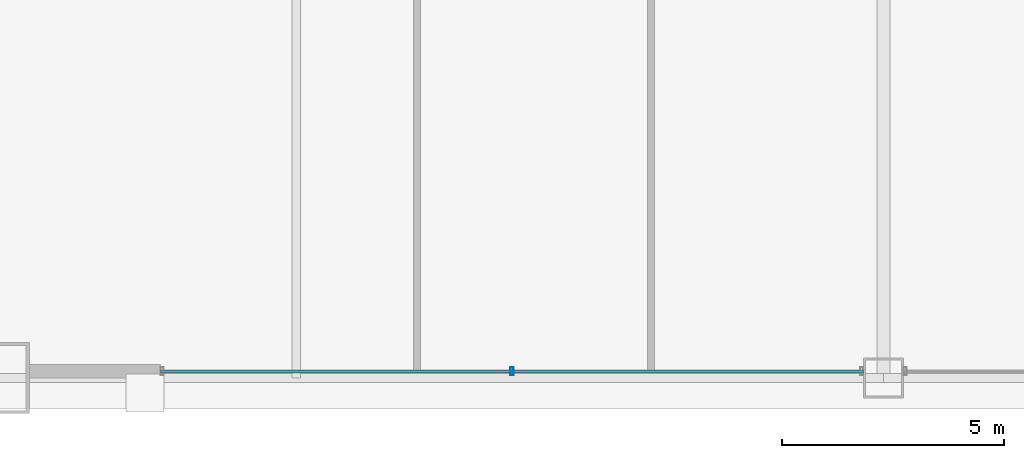
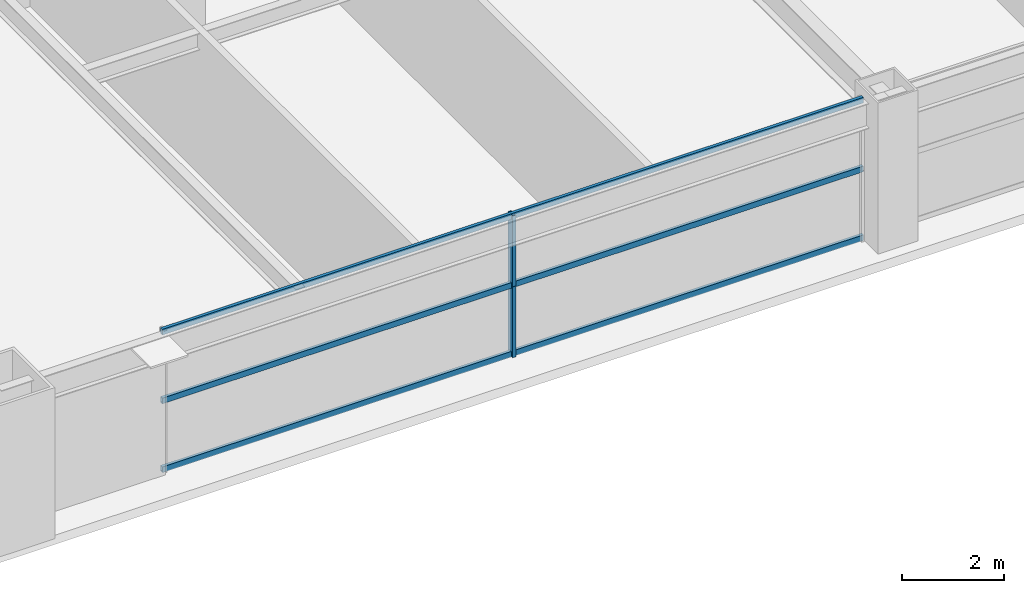
# One storey, part 6 of 39: 5 members, 1 element without a shape of its own.
"""IFC4 building model written with IfcOpenShell, lengths in metres."""

from ifc_helpers import new_model, si_unit, direction, frame, origin, origin_2d, place, context, subcontext, project, spatial, hollow_rectangle, extrude, source, transform, mapped, material, layer, layer_set, material_profile, profile_set, type_object, element, aggregate, save


model = new_model("IFC4")

# Units and contexts
model_context = context("Model", 3, precision=1e-05, world=origin(), true_north=direction((0.0, 1.0)))
body_context = subcontext(model_context, "Body", "Model", "MODEL_VIEW")
ifc_project = project(units=[si_unit("LENGTHUNIT", "METRE"), si_unit("AREAUNIT", "SQUARE_METRE"), si_unit("VOLUMEUNIT", "CUBIC_METRE"), si_unit("PLANEANGLEUNIT", "RADIAN"), si_unit("MASSUNIT", "GRAM", prefix="KILO"), si_unit("THERMODYNAMICTEMPERATUREUNIT", "KELVIN"), si_unit("POWERUNIT", "WATT")], contexts=[model_context])

# Site, building, storey
site_placement = place(None, origin())
site = spatial("IfcSite", under=ifc_project, at=site_placement, CompositionType="ELEMENT")
building_placement = place(site_placement, origin())
building = spatial("IfcBuilding", under=site, at=building_placement, Name="Yuzanri Waterfront Tower", CompositionType="ELEMENT")
storey_placement = place(building_placement, frame((0.0, 0.0, 134.39990234375)))
storey = spatial("IfcBuildingStorey", under=building, at=storey_placement, Name="L35", CompositionType="ELEMENT", Elevation=134.39990234375)

# Curtain wall, members
ifc_material_1 = material(Name="Anodized Architectural Bronze", Category="metal")
ifc_layer = layer(ifc_material_1, 0.159912109375)
ifc_layer_set = layer_set([ifc_layer], Name="Anodized Architectural Bronze")
curtain_wall_type = type_object("IfcCurtainWallType", Name="Anodized Bronze Hotel Upper-Tier Solar-Control Unitized Curtain Wall 7800", PredefinedType="NOTDEFINED", material=ifc_layer_set)
curtain_wall_placement = place(storey_placement, origin())
curtain_wall = element("IfcCurtainWall", 1, at=curtain_wall_placement, inside=storey, type_object=curtain_wall_type, Name="L35 Curtain Wall CW-L35-SL", PredefinedType="NOTDEFINED")
ifc_material_2 = material(Name="Anodized Architectural Bronze", Category="metal")
ifc_material_profile_1 = material_profile(ifc_material_2, hollow_rectangle(XDim=0.070068359375, YDim=0.179931640625, WallThickness=0.00390625, at=origin_2d()), Name="CWM 70x180")
ifc_profile_set_1 = profile_set([ifc_material_profile_1], Name="Anodized Architectural Bronze")
member_type_1 = type_object("IfcMemberType", Name="Anodized Bronze Standard Curtain-Wall Mullion 70x180", PredefinedType="MULLION", material=ifc_profile_set_1)
shared_shape_1 = source(origin(), body_context, "Body", "SweptSolid", [
    extrude(hollow_rectangle(XDim=0.070068359375, YDim=0.179931640625, WallThickness=0.00390625, at=origin_2d()), origin(), (0.0, 0.0, 1.0), 1.68798828125),
])
member_1_placement = place(storey_placement, frame((28.64990234375, 2.35009765625, 0.0), z_axis=(0.0, 0.0, 1.0), x_axis=(1.0, 0.0, 0.0)))
member_1 = element("IfcMember", 2, at=member_1_placement, type_object=member_type_1, Name="CW-L35-SL Lower Mullion 01", PredefinedType="MULLION", context=body_context, shape_type="MappedRepresentation", body=[
    mapped(shared_shape_1, transform((0.0, 0.0, 0.0), scale=1.0)),
])
member_2_placement = place(storey_placement, frame((28.64990234375, 2.35009765625, 1.692138671875), z_axis=(0.0, 0.0, 1.0), x_axis=(1.0, 0.0, 0.0)))
member_2 = element("IfcMember", 3, at=member_2_placement, type_object=member_type_1, Name="CW-L35-SL Upper Mullion 01", PredefinedType="MULLION", context=body_context, shape_type="MappedRepresentation", body=[
    mapped(shared_shape_1, transform((0.0, 0.0, 0.0), scale=1.0)),
])
ifc_material_3 = material(Name="Anodized Architectural Bronze", Category="metal")
ifc_material_profile_2 = material_profile(ifc_material_3, hollow_rectangle(XDim=0.070068359375, YDim=0.135009765625, WallThickness=0.00341796875, at=origin_2d()), Name="CWT 70x135")
ifc_profile_set_2 = profile_set([ifc_material_profile_2], Name="Anodized Architectural Bronze")
member_type_2 = type_object("IfcMemberType", Name="Anodized Bronze Standard Curtain-Wall Transom 70x135", PredefinedType="USERDEFINED", material=ifc_profile_set_2)
shared_shape_2 = source(origin(), body_context, "Body", "SweptSolid", [
    extrude(hollow_rectangle(XDim=0.070068359375, YDim=0.135009765625, WallThickness=0.00341796875, at=origin_2d()), origin(), (0.0, 0.0, 1.0), 15.800048828125),
])
member_3_placement = place(storey_placement, frame((20.75, 2.35009765625, 0.050048828125), z_axis=(1.0, 0.0, 0.0), x_axis=(0.0, 1.0, 0.0)))
member_3 = element("IfcMember", 4, at=member_3_placement, type_object=member_type_2, Name="CW-L35-SL Transom 1", ObjectType="TRANSOM", PredefinedType="USERDEFINED", context=body_context, shape_type="MappedRepresentation", body=[
    mapped(shared_shape_2, transform((0.0, 0.0, 0.0), scale=1.0)),
])
member_4_placement = place(storey_placement, frame((20.75, 2.35009765625, 1.690185546875), z_axis=(1.0, 0.0, 0.0), x_axis=(0.0, 1.0, 0.0)))
member_4 = element("IfcMember", 5, at=member_4_placement, type_object=member_type_2, Name="CW-L35-SL Transom 2", ObjectType="TRANSOM", PredefinedType="USERDEFINED", context=body_context, shape_type="MappedRepresentation", body=[
    mapped(shared_shape_2, transform((0.0, 0.0, 0.0), scale=1.0)),
])
member_5_placement = place(storey_placement, frame((20.75, 2.35009765625, 3.330078125), z_axis=(1.0, 0.0, 0.0), x_axis=(0.0, 1.0, 0.0)))
member_5 = element("IfcMember", 6, at=member_5_placement, type_object=member_type_2, Name="CW-L35-SL Transom 3", ObjectType="TRANSOM", PredefinedType="USERDEFINED", context=body_context, shape_type="MappedRepresentation", body=[
    mapped(shared_shape_2, transform((0.0, 0.0, 0.0), scale=1.0)),
])
aggregate(curtain_wall, [member_1, member_2, member_3, member_4, member_5])

save(model, "model.ifc")
